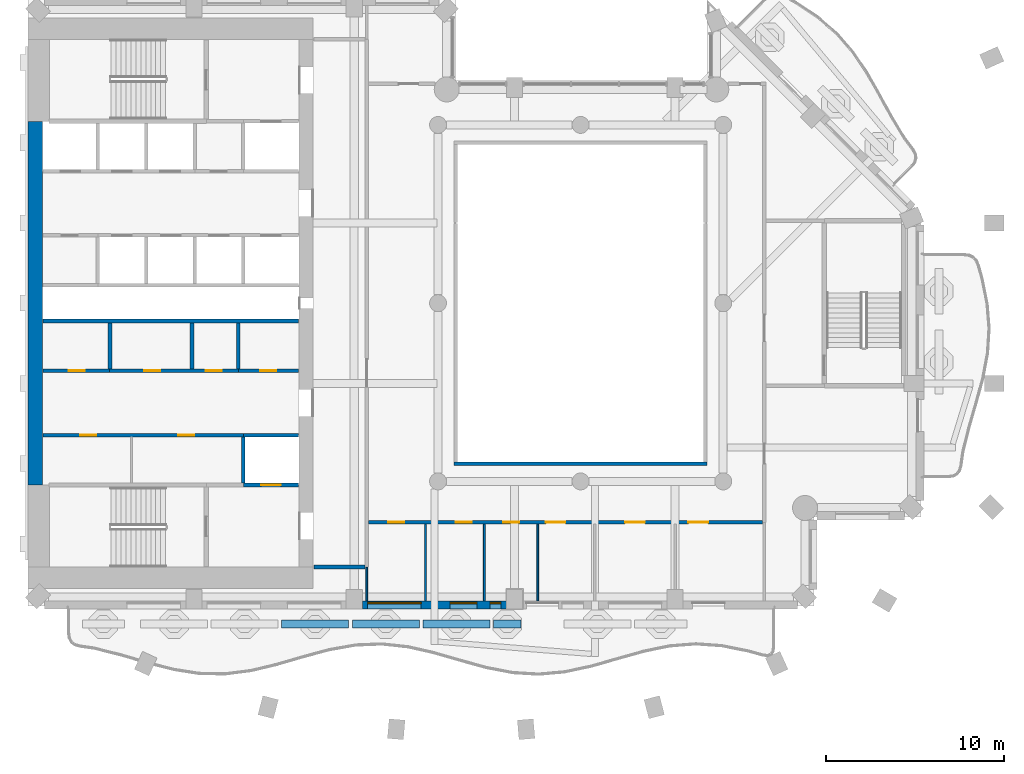
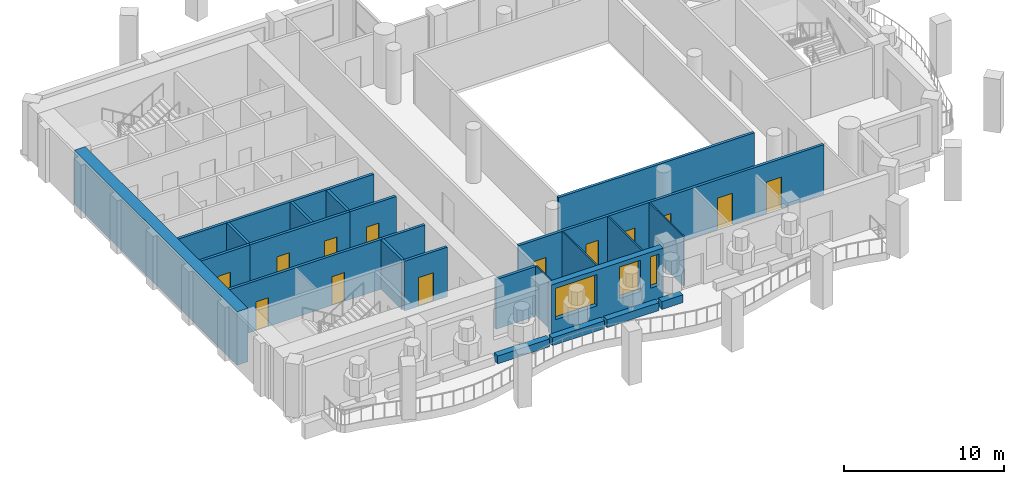
# One storey, part 4 of 15: 24 walls, 13 doors, 3 windows, 16 openings.
"""IFC4 building model written with IfcOpenShell, lengths in metres."""

from ifc_helpers import new_model, si_unit, direction, frame, frame_2d, origin, place, context, subcontext, project, spatial, rectangle, extrude, material, layer, layer_set, type_object, element, fill, save


model = new_model("IFC4")

# Units and contexts
model_context = context("Model", 3, precision=1e-05, world=origin(), true_north=direction((0.0, 1.0)))
body_context = subcontext(model_context, "Body", "Model", "MODEL_VIEW")
ifc_project = project(units=[si_unit("LENGTHUNIT", "METRE"), si_unit("AREAUNIT", "SQUARE_METRE"), si_unit("VOLUMEUNIT", "CUBIC_METRE"), si_unit("PLANEANGLEUNIT", "RADIAN"), si_unit("MASSUNIT", "GRAM", prefix="KILO")], contexts=[model_context])

# Site, building, storey
site_placement = place(None, origin())
site = spatial("IfcSite", under=ifc_project, at=site_placement, CompositionType="ELEMENT")
building_placement = place(site_placement, origin())
building = spatial("IfcBuilding", under=site, at=building_placement, Name="Cypress Arch Tower", CompositionType="ELEMENT")
storey_placement = place(building_placement, frame((0.0, 0.0, 234.300048828125)))
storey = spatial("IfcBuildingStorey", under=building, at=storey_placement, Name="L52", CompositionType="ELEMENT", Elevation=234.300048828125)

# Walls
ifc_material_1 = material(Name="Concrete C40/50, waterproofed", Category="concrete")
ifc_layer_1 = layer(ifc_material_1, 0.449951171875)
ifc_layer_set_1 = layer_set([ifc_layer_1], Name="Balcony planter wall PW450")
wall_type_1 = type_object("IfcWallType", Name="Balcony planter wall PW450", PredefinedType="SOLIDWALL", material=ifc_layer_set_1)
for number, where, z_axis, x_axis, name in (
    (1, (-15.77001953125, -18.0, 0.0), (0.0, 0.0, 1.0), (1.0, 0.0, 0.0), "Balcony planter wall L52-B01.4"),
    (2, (-11.81005859375, -18.0, 0.0), (0.0, 0.0, 1.0), (1.0, 0.0, 0.0), "Balcony planter wall L52-B01.5"),
    (3, (-7.85009765625, -18.0, 0.0), (0.0, 0.0, 1.0), (1.0, 0.0, 0.0), "Balcony planter wall L52-B01.6"),
):
    element("IfcWall", number, at=place(storey_placement, frame(where, z_axis=z_axis, x_axis=x_axis)), inside=storey, type_object=wall_type_1, Name=name, PredefinedType="SOLIDWALL", context=body_context, shape_type="SweptSolid", body=[
        extrude(rectangle(XDim=3.760009765625, YDim=0.449951171875, at=frame_2d((1.8798828125, 0.0))), origin(), (0.0, 0.0, 1.0), 0.599853515625),
    ])
wall_1_placement = place(storey_placement, frame((-3.889892578125, -18.0, 0.0), z_axis=(0.0, 0.0, 1.0), x_axis=(1.0, 0.0, 0.0)))
element("IfcWall", 4, at=wall_1_placement, inside=storey, type_object=wall_type_1, Name="Balcony planter wall L52-B01.7", PredefinedType="SOLIDWALL", context=body_context, shape_type="SweptSolid", body=[
    extrude(rectangle(XDim=1.539794921875, YDim=0.449951171875, at=frame_2d((0.77001953125, 0.0))), origin(), (0.0, 0.0, 1.0), 0.599853515625),
])

# Wall, openings, windows
ifc_material_2 = material(Name="Brick (red buff blend)", Category="masonry")
ifc_layer_2 = layer(ifc_material_2, 0.449951171875)
ifc_layer_set_2 = layer_set([ifc_layer_2], Name="Brick pier and spandrel wall BW450")
wall_type_2 = type_object("IfcWallType", Name="Brick pier and spandrel wall BW450", PredefinedType="SOLIDWALL", material=ifc_layer_set_2)
wall_2_placement = place(storey_placement, frame((-11.25, -16.925048828125, 0.0), z_axis=(0.0, 0.0, 1.0), x_axis=(1.0, 0.0, 0.0)))
wall_2 = element("IfcWall", 5, at=wall_2_placement, inside=storey, type_object=wall_type_2, Name="Brick wall L52 B01.2", PredefinedType="SOLIDWALL", context=body_context, shape_type="SweptSolid", body=[
    extrude(rectangle(XDim=8.10009765625, YDim=0.449951171875, at=frame_2d((4.050048828125, 0.0))), origin(), (0.0, 0.0, 1.0), 3.800048828125),
])
opening_1_placement = place(wall_2_placement, frame((0.300048828125, 0.0, 1.050048828125)))
opening_1 = element("IfcOpeningElement", 6, at=opening_1_placement, cuts=wall_2, Name="Opening W300OD", PredefinedType="OPENING", context=body_context, shape_type="SweptSolid", body=[
    extrude(rectangle(XDim=3.0, YDim=2.39990234375, at=frame_2d((1.5, 1.199951171875))), frame((0.0, 0.23486328125, 0.0), z_axis=(0.0, -1.0, 0.0), x_axis=(1.0, 0.0, 0.0)), (0.0, 0.0, 1.0), 0.469970703125),
])
opening_2_placement = place(wall_2_placement, frame((4.925048828125, 0.0, 1.050048828125)))
opening_2 = element("IfcOpeningElement", 7, at=opening_2_placement, cuts=wall_2, Name="Opening W150OD", PredefinedType="OPENING", context=body_context, shape_type="SweptSolid", body=[
    extrude(rectangle(XDim=1.5, YDim=2.39990234375, at=frame_2d((0.75, 1.199951171875))), frame((0.0, 0.23486328125, 0.0), z_axis=(0.0, -1.0, 0.0), x_axis=(1.0, 0.0, 0.0)), (0.0, 0.0, 1.0), 0.469970703125),
])
opening_3_placement = place(wall_2_placement, frame((7.175048828125, 0.0, 1.050048828125)))
opening_3 = element("IfcOpeningElement", 8, at=opening_3_placement, cuts=wall_2, Name="Opening W060OD", PredefinedType="OPENING", context=body_context, shape_type="SweptSolid", body=[
    extrude(rectangle(XDim=0.60009765625, YDim=2.39990234375, at=frame_2d((0.300048828125, 1.199951171875))), frame((0.0, 0.23486328125, 0.0), z_axis=(0.0, -1.0, 0.0), x_axis=(1.0, 0.0, 0.0)), (0.0, 0.0, 1.0), 0.469970703125),
])
ifc_material_3 = material(Name="Anodised aluminium, bronze finish, laminated low-emissivity double glazing, large-missile impact rated", Category="aluminium")
window_type_1 = type_object("IfcWindowType", Name="Window Office 1500x2400 debris-rated", PartitioningType="SINGLE_PANEL", PredefinedType="WINDOW", material=ifc_material_3)
window_1_placement = place(opening_2_placement, origin())
window_1 = element("IfcWindow", 9, at=window_1_placement, inside=storey, type_object=window_type_1, Name="Window L52 B01.2.2", OverallHeight=2.39990234375, OverallWidth=1.5, PartitioningType="SINGLE_PANEL", PredefinedType="WINDOW", context=body_context, shape_type="SweptSolid", body=[
    extrude(rectangle(XDim=1.5, YDim=2.39990234375, at=frame_2d((0.75, 1.199951171875))), frame((0.0, 0.135009765625, 0.0), z_axis=(0.0, -1.0, 0.0), x_axis=(1.0, 0.0, 0.0)), (0.0, 0.0, 1.0), 0.06005859375),
])
fill(opening_2, window_1)
ifc_material_4 = material(Name="Anodised aluminium, bronze finish, laminated low-emissivity double glazing, large-missile impact rated", Category="aluminium")
window_type_2 = type_object("IfcWindowType", Name="Window Office 3000x2400 debris-rated", PartitioningType="SINGLE_PANEL", PredefinedType="WINDOW", material=ifc_material_4)
window_2_placement = place(opening_1_placement, origin())
window_2 = element("IfcWindow", 10, at=window_2_placement, inside=storey, type_object=window_type_2, Name="Window L52 B01.2.1", OverallHeight=2.39990234375, OverallWidth=3.0, PartitioningType="SINGLE_PANEL", PredefinedType="WINDOW", context=body_context, shape_type="SweptSolid", body=[
    extrude(rectangle(XDim=3.0, YDim=2.39990234375, at=frame_2d((1.5, 1.199951171875))), frame((0.0, 0.135009765625, 0.0), z_axis=(0.0, -1.0, 0.0), x_axis=(1.0, 0.0, 0.0)), (0.0, 0.0, 1.0), 0.06005859375),
])
fill(opening_1, window_2)
ifc_material_5 = material(Name="Anodised aluminium, bronze finish, laminated low-emissivity double glazing, large-missile impact rated", Category="aluminium")
window_type_3 = type_object("IfcWindowType", Name="Window Office 600x2400 debris-rated", PartitioningType="SINGLE_PANEL", PredefinedType="WINDOW", material=ifc_material_5)
window_3_placement = place(opening_3_placement, origin())
window_3 = element("IfcWindow", 11, at=window_3_placement, inside=storey, type_object=window_type_3, Name="Window L52 B01.2.2b", OverallHeight=2.39990234375, OverallWidth=0.60009765625, PartitioningType="SINGLE_PANEL", PredefinedType="WINDOW", context=body_context, shape_type="SweptSolid", body=[
    extrude(rectangle(XDim=0.60009765625, YDim=2.39990234375, at=frame_2d((0.300048828125, 1.199951171875))), frame((0.0, 0.135009765625, 0.0), z_axis=(0.0, -1.0, 0.0), x_axis=(1.0, 0.0, 0.0)), (0.0, 0.0, 1.0), 0.06005859375),
])
fill(opening_3, window_3)

# Wall
ifc_material_6 = material(Name="Concrete C70/85", Category="concrete")
ifc_layer_3 = layer(ifc_material_6, 0.800048828125)
ifc_layer_set_3 = layer_set([ifc_layer_3], Name="Core wall CW800 C70/85")
wall_type_3 = type_object("IfcWallType", Name="Core wall CW800 C70/85", PredefinedType="SHEAR", material=ifc_layer_set_3)
wall_3_placement = place(storey_placement, frame((-29.60009765625, -10.199951171875, 0.0), z_axis=(0.0, 0.0, 1.0), x_axis=(0.0, 1.0, 0.0)))
element("IfcWall", 12, at=wall_3_placement, inside=storey, type_object=wall_type_3, Name="Core wall", PredefinedType="SHEAR", context=body_context, shape_type="SweptSolid", body=[
    extrude(rectangle(XDim=20.39990234375, YDim=0.800048828125, at=frame_2d((10.199951171875, 0.0))), origin(), (0.0, 0.0, 1.0), 4.099853515625),
])

# Wall, openings, doors
ifc_material_7 = material(Name="Concrete blockwork, plastered, rated", Category="masonry")
ifc_layer_4 = layer(ifc_material_7, 0.199951171875)
ifc_layer_set_4 = layer_set([ifc_layer_4], Name="Corridor wall FW200")
wall_type_4 = type_object("IfcWallType", Name="Corridor wall FW200", PredefinedType="PARTITIONING", material=ifc_layer_set_4)
wall_4_placement = place(storey_placement, frame((-29.169921875, -7.39990234375, 0.0), z_axis=(0.0, 0.0, 1.0), x_axis=(1.0, 0.0, 0.0)))
wall_4 = element("IfcWall", 13, at=wall_4_placement, inside=storey, type_object=wall_type_4, Name="Corridor wall", PredefinedType="PARTITIONING", context=body_context, shape_type="SweptSolid", body=[
    extrude(rectangle(XDim=11.27001953125, YDim=0.199951171875, at=frame_2d((5.635009765625, 0.0))), origin(), (0.0, 0.0, 1.0), 3.800048828125),
])
opening_4_placement = place(wall_4_placement, frame((2.10009765625, 0.0, 0.0)))
opening_4 = element("IfcOpeningElement", 14, at=opening_4_placement, cuts=wall_4, Name="Opening D05", PredefinedType="OPENING", context=body_context, shape_type="SweptSolid", body=[
    extrude(rectangle(XDim=0.89990234375, YDim=2.199951171875, at=frame_2d((0.449951171875, 1.10009765625))), frame((0.0, 0.10986328125, 0.0), z_axis=(0.0, -1.0, 0.0), x_axis=(1.0, 0.0, 0.0)), (0.0, 0.0, 1.0), 0.219970703125),
])
opening_5_placement = place(wall_4_placement, frame((7.60009765625, 0.0, 0.0)))
opening_5 = element("IfcOpeningElement", 15, at=opening_5_placement, cuts=wall_4, Name="Opening D05", PredefinedType="OPENING", context=body_context, shape_type="SweptSolid", body=[
    extrude(rectangle(XDim=0.89990234375, YDim=2.199951171875, at=frame_2d((0.449951171875, 1.10009765625))), frame((0.0, 0.10986328125, 0.0), z_axis=(0.0, -1.0, 0.0), x_axis=(1.0, 0.0, 0.0)), (0.0, 0.0, 1.0), 0.219970703125),
])
ifc_material_8 = material(Name="Timber flush door", Category="wood")
door_type_1 = type_object("IfcDoorType", Name="Service door D05 900x2200", OperationType="SINGLE_SWING_LEFT", PredefinedType="DOOR", material=ifc_material_8)
door_1_placement = place(opening_4_placement, origin())
door_1 = element("IfcDoor", 16, at=door_1_placement, inside=storey, type_object=door_type_1, Name="Service door", OperationType="SINGLE_SWING_LEFT", OverallHeight=2.199951171875, OverallWidth=0.89990234375, PredefinedType="DOOR", context=body_context, shape_type="SweptSolid", body=[
    extrude(rectangle(XDim=0.89990234375, YDim=2.199951171875, at=frame_2d((0.449951171875, 1.10009765625))), frame((0.0, 0.02490234375, 0.0), z_axis=(0.0, -1.0, 0.0), x_axis=(1.0, 0.0, 0.0)), (0.0, 0.0, 1.0), 0.050048828125),
])
fill(opening_4, door_1)
door_2_placement = place(opening_5_placement, origin())
door_2 = element("IfcDoor", 17, at=door_2_placement, inside=storey, type_object=door_type_1, Name="Service door", OperationType="SINGLE_SWING_RIGHT", OverallHeight=2.199951171875, OverallWidth=0.89990234375, PredefinedType="DOOR", context=body_context, shape_type="SweptSolid", body=[
    extrude(rectangle(XDim=0.89990234375, YDim=2.199951171875, at=frame_2d((0.449951171875, 1.10009765625))), frame((0.0, 0.02490234375, 0.0), z_axis=(0.0, -1.0, 0.0), x_axis=(1.0, 0.0, 0.0)), (0.0, 0.0, 1.0), 0.050048828125),
])
fill(opening_5, door_2)

# Wall, opening, door
wall_5_placement = place(storey_placement, frame((-29.169921875, -3.800048828125, 0.0), z_axis=(0.0, 0.0, 1.0), x_axis=(1.0, 0.0, 0.0)))
wall_5 = element("IfcWall", 18, at=wall_5_placement, inside=storey, type_object=wall_type_4, Name="Corridor wall", PredefinedType="PARTITIONING", context=body_context, shape_type="SweptSolid", body=[
    extrude(rectangle(XDim=3.75, YDim=0.199951171875, at=frame_2d((1.875, 0.0))), origin(), (0.0, 0.0, 1.0), 3.800048828125),
])
opening_6_placement = place(wall_5_placement, frame((1.449951171875, 0.0, 0.0)))
opening_6 = element("IfcOpeningElement", 19, at=opening_6_placement, cuts=wall_5, Name="Opening D05", PredefinedType="OPENING", context=body_context, shape_type="SweptSolid", body=[
    extrude(rectangle(XDim=0.89990234375, YDim=2.199951171875, at=frame_2d((0.449951171875, 1.10009765625))), frame((0.0, 0.10986328125, 0.0), z_axis=(0.0, -1.0, 0.0), x_axis=(1.0, 0.0, 0.0)), (0.0, 0.0, 1.0), 0.219970703125),
])
door_3_placement = place(opening_6_placement, origin())
door_3 = element("IfcDoor", 20, at=door_3_placement, inside=storey, type_object=door_type_1, Name="Service door", OperationType="SINGLE_SWING_RIGHT", OverallHeight=2.199951171875, OverallWidth=0.89990234375, PredefinedType="DOOR", context=body_context, shape_type="SweptSolid", body=[
    extrude(rectangle(XDim=0.89990234375, YDim=2.199951171875, at=frame_2d((0.449951171875, 1.10009765625))), frame((0.0, 0.02490234375, 0.0), z_axis=(0.0, -1.0, 0.0), x_axis=(1.0, 0.0, 0.0)), (0.0, 0.0, 1.0), 0.050048828125),
])
fill(opening_6, door_3)

wall_6_placement = place(storey_placement, frame((-18.179931640625, -3.800048828125, 0.0), z_axis=(0.0, 0.0, 1.0), x_axis=(1.0, 0.0, 0.0)))
wall_6 = element("IfcWall", 21, at=wall_6_placement, inside=storey, type_object=wall_type_4, Name="Corridor wall", PredefinedType="PARTITIONING", context=body_context, shape_type="SweptSolid", body=[
    extrude(rectangle(XDim=3.349853515625, YDim=0.199951171875, at=frame_2d((1.6748046875, 0.0))), origin(), (0.0, 0.0, 1.0), 3.800048828125),
])
opening_7_placement = place(wall_6_placement, frame((1.199951171875, 0.0, 0.0)))
opening_7 = element("IfcOpeningElement", 22, at=opening_7_placement, cuts=wall_6, Name="Opening D05", PredefinedType="OPENING", context=body_context, shape_type="SweptSolid", body=[
    extrude(rectangle(XDim=0.89990234375, YDim=2.199951171875, at=frame_2d((0.449951171875, 1.10009765625))), frame((0.0, 0.10986328125, 0.0), z_axis=(0.0, -1.0, 0.0), x_axis=(1.0, 0.0, 0.0)), (0.0, 0.0, 1.0), 0.219970703125),
])
door_4_placement = place(opening_7_placement, origin())
door_4 = element("IfcDoor", 23, at=door_4_placement, inside=storey, type_object=door_type_1, Name="Service door", OperationType="SINGLE_SWING_LEFT", OverallHeight=2.199951171875, OverallWidth=0.89990234375, PredefinedType="DOOR", context=body_context, shape_type="SweptSolid", body=[
    extrude(rectangle(XDim=0.89990234375, YDim=2.199951171875, at=frame_2d((0.449951171875, 1.10009765625))), frame((0.0, 0.02490234375, 0.0), z_axis=(0.0, -1.0, 0.0), x_axis=(1.0, 0.0, 0.0)), (0.0, 0.0, 1.0), 0.050048828125),
])
fill(opening_7, door_4)

# Wall
wall_7_placement = place(storey_placement, frame((-13.969970703125, -14.800048828125, 0.0), z_axis=(0.0, 0.0, 1.0), x_axis=(1.0, 0.0, 0.0)))
element("IfcWall", 24, at=wall_7_placement, inside=storey, type_object=wall_type_4, Name="Corridor wall", PredefinedType="PARTITIONING", context=body_context, shape_type="SweptSolid", body=[
    extrude(rectangle(XDim=2.869873046875, YDim=0.199951171875, at=frame_2d((1.43505859375, 0.0))), origin(), (0.0, 0.0, 1.0), 3.800048828125),
])

# Wall, openings, doors
wall_8_placement = place(storey_placement, frame((-10.89990234375, -12.300048828125, 0.0), z_axis=(0.0, 0.0, 1.0), x_axis=(1.0, 0.0, 0.0)))
wall_8 = element("IfcWall", 25, at=wall_8_placement, inside=storey, type_object=wall_type_4, Name="Corridor wall", PredefinedType="PARTITIONING", context=body_context, shape_type="SweptSolid", body=[
    extrude(rectangle(XDim=22.099853515625, YDim=0.199951171875, at=frame_2d((11.0498046875, 0.0))), origin(), (0.0, 0.0, 1.0), 3.800048828125),
])
opening_8_placement = place(wall_8_placement, frame((1.10009765625, 0.0, 0.0)))
opening_8 = element("IfcOpeningElement", 26, at=opening_8_placement, cuts=wall_8, Name="Opening D03", PredefinedType="OPENING", context=body_context, shape_type="SweptSolid", body=[
    extrude(rectangle(XDim=0.89990234375, YDim=2.199951171875, at=frame_2d((0.449951171875, 1.10009765625))), frame((0.0, 0.10986328125, 0.0), z_axis=(0.0, -1.0, 0.0), x_axis=(1.0, 0.0, 0.0)), (0.0, 0.0, 1.0), 0.219970703125),
])
opening_9_placement = place(wall_8_placement, frame((4.89990234375, 0.0, 0.0)))
opening_9 = element("IfcOpeningElement", 27, at=opening_9_placement, cuts=wall_8, Name="Opening D03", PredefinedType="OPENING", context=body_context, shape_type="SweptSolid", body=[
    extrude(rectangle(XDim=0.89990234375, YDim=2.199951171875, at=frame_2d((0.449951171875, 1.10009765625))), frame((0.0, 0.10986328125, 0.0), z_axis=(0.0, -1.0, 0.0), x_axis=(1.0, 0.0, 0.0)), (0.0, 0.0, 1.0), 0.219970703125),
])
opening_10_placement = place(wall_8_placement, frame((7.550048828125, 0.0, 0.0)))
opening_10 = element("IfcOpeningElement", 28, at=opening_10_placement, cuts=wall_8, Name="Opening D03", PredefinedType="OPENING", context=body_context, shape_type="SweptSolid", body=[
    extrude(rectangle(XDim=0.89990234375, YDim=2.199951171875, at=frame_2d((0.449951171875, 1.10009765625))), frame((0.0, 0.10986328125, 0.0), z_axis=(0.0, -1.0, 0.0), x_axis=(1.0, 0.0, 0.0)), (0.0, 0.0, 1.0), 0.219970703125),
])
opening_11_placement = place(wall_8_placement, frame((9.949951171875, 0.0, 0.0)))
opening_11 = element("IfcOpeningElement", 29, at=opening_11_placement, cuts=wall_8, Name="Opening D01", PredefinedType="OPENING", context=body_context, shape_type="SweptSolid", body=[
    extrude(rectangle(XDim=1.10009765625, YDim=2.39990234375, at=frame_2d((0.550048828125, 1.199951171875))), frame((0.0, 0.10986328125, 0.0), z_axis=(0.0, -1.0, 0.0), x_axis=(1.0, 0.0, 0.0)), (0.0, 0.0, 1.0), 0.219970703125),
])
opening_12_placement = place(wall_8_placement, frame((14.39990234375, 0.0, 0.0)))
opening_12 = element("IfcOpeningElement", 30, at=opening_12_placement, cuts=wall_8, Name="Opening D01", PredefinedType="OPENING", context=body_context, shape_type="SweptSolid", body=[
    extrude(rectangle(XDim=1.10009765625, YDim=2.39990234375, at=frame_2d((0.550048828125, 1.199951171875))), frame((0.0, 0.10986328125, 0.0), z_axis=(0.0, -1.0, 0.0), x_axis=(1.0, 0.0, 0.0)), (0.0, 0.0, 1.0), 0.219970703125),
])
opening_13_placement = place(wall_8_placement, frame((17.949951171875, 0.0, 0.0)))
opening_13 = element("IfcOpeningElement", 31, at=opening_13_placement, cuts=wall_8, Name="Opening D01", PredefinedType="OPENING", context=body_context, shape_type="SweptSolid", body=[
    extrude(rectangle(XDim=1.10009765625, YDim=2.39990234375, at=frame_2d((0.550048828125, 1.199951171875))), frame((0.0, 0.10986328125, 0.0), z_axis=(0.0, -1.0, 0.0), x_axis=(1.0, 0.0, 0.0)), (0.0, 0.0, 1.0), 0.219970703125),
])
ifc_material_9 = material(Name="Timber flush door, moisture resistant", Category="wood")
door_type_2 = type_object("IfcDoorType", Name="Bathroom door D03 900x2200", OperationType="SINGLE_SWING_LEFT", PredefinedType="DOOR", material=ifc_material_9)
door_5_placement = place(opening_8_placement, origin())
door_5 = element("IfcDoor", 32, at=door_5_placement, inside=storey, type_object=door_type_2, Name="Bathroom door", OperationType="SINGLE_SWING_RIGHT", OverallHeight=2.199951171875, OverallWidth=0.89990234375, PredefinedType="DOOR", context=body_context, shape_type="SweptSolid", body=[
    extrude(rectangle(XDim=0.89990234375, YDim=2.199951171875, at=frame_2d((0.449951171875, 1.10009765625))), frame((0.0, 0.02490234375, 0.0), z_axis=(0.0, -1.0, 0.0), x_axis=(1.0, 0.0, 0.0)), (0.0, 0.0, 1.0), 0.050048828125),
])
fill(opening_8, door_5)
door_6_placement = place(opening_9_placement, origin())
door_6 = element("IfcDoor", 33, at=door_6_placement, inside=storey, type_object=door_type_2, Name="Bathroom door", OperationType="SINGLE_SWING_LEFT", OverallHeight=2.199951171875, OverallWidth=0.89990234375, PredefinedType="DOOR", context=body_context, shape_type="SweptSolid", body=[
    extrude(rectangle(XDim=0.89990234375, YDim=2.199951171875, at=frame_2d((0.449951171875, 1.10009765625))), frame((0.0, 0.02490234375, 0.0), z_axis=(0.0, -1.0, 0.0), x_axis=(1.0, 0.0, 0.0)), (0.0, 0.0, 1.0), 0.050048828125),
])
fill(opening_9, door_6)
door_7_placement = place(opening_10_placement, origin())
door_7 = element("IfcDoor", 34, at=door_7_placement, inside=storey, type_object=door_type_2, Name="Bathroom door", OperationType="SINGLE_SWING_RIGHT", OverallHeight=2.199951171875, OverallWidth=0.89990234375, PredefinedType="DOOR", context=body_context, shape_type="SweptSolid", body=[
    extrude(rectangle(XDim=0.89990234375, YDim=2.199951171875, at=frame_2d((0.449951171875, 1.10009765625))), frame((0.0, 0.02490234375, 0.0), z_axis=(0.0, -1.0, 0.0), x_axis=(1.0, 0.0, 0.0)), (0.0, 0.0, 1.0), 0.050048828125),
])
fill(opening_10, door_7)
ifc_material_10 = material(Name="Timber flush door, fire resisting, self-closing", Category="wood")
door_type_3 = type_object("IfcDoorType", Name="Unit entrance door D01 1100x2400", OperationType="SINGLE_SWING_LEFT", PredefinedType="DOOR", material=ifc_material_10)
door_8_placement = place(opening_11_placement, origin())
door_8 = element("IfcDoor", 35, at=door_8_placement, inside=storey, type_object=door_type_3, Name="Unit entrance door", OperationType="SINGLE_SWING_RIGHT", OverallHeight=2.39990234375, OverallWidth=1.10009765625, PredefinedType="DOOR", context=body_context, shape_type="SweptSolid", body=[
    extrude(rectangle(XDim=1.10009765625, YDim=2.39990234375, at=frame_2d((0.550048828125, 1.199951171875))), frame((0.0, 0.02490234375, 0.0), z_axis=(0.0, -1.0, 0.0), x_axis=(1.0, 0.0, 0.0)), (0.0, 0.0, 1.0), 0.050048828125),
])
fill(opening_11, door_8)
door_9_placement = place(opening_12_placement, origin())
door_9 = element("IfcDoor", 36, at=door_9_placement, inside=storey, type_object=door_type_3, Name="Unit entrance door", OperationType="SINGLE_SWING_LEFT", OverallHeight=2.39990234375, OverallWidth=1.10009765625, PredefinedType="DOOR", context=body_context, shape_type="SweptSolid", body=[
    extrude(rectangle(XDim=1.10009765625, YDim=2.39990234375, at=frame_2d((0.550048828125, 1.199951171875))), frame((0.0, 0.02490234375, 0.0), z_axis=(0.0, -1.0, 0.0), x_axis=(1.0, 0.0, 0.0)), (0.0, 0.0, 1.0), 0.050048828125),
])
fill(opening_12, door_9)
door_10_placement = place(opening_13_placement, origin())
door_10 = element("IfcDoor", 37, at=door_10_placement, inside=storey, type_object=door_type_3, Name="Unit entrance door", OperationType="SINGLE_SWING_RIGHT", OverallHeight=2.39990234375, OverallWidth=1.10009765625, PredefinedType="DOOR", context=body_context, shape_type="SweptSolid", body=[
    extrude(rectangle(XDim=1.10009765625, YDim=2.39990234375, at=frame_2d((0.550048828125, 1.199951171875))), frame((0.0, 0.02490234375, 0.0), z_axis=(0.0, -1.0, 0.0), x_axis=(1.0, 0.0, 0.0)), (0.0, 0.0, 1.0), 0.050048828125),
])
fill(opening_13, door_10)

# Walls
wall_9_placement = place(storey_placement, frame((-6.10009765625, -9.0, 0.0), z_axis=(0.0, 0.0, 1.0), x_axis=(1.0, 0.0, 0.0)))
element("IfcWall", 38, at=wall_9_placement, inside=storey, type_object=wall_type_4, Name="Corridor wall", PredefinedType="PARTITIONING", context=body_context, shape_type="SweptSolid", body=[
    extrude(rectangle(XDim=14.2001953125, YDim=0.199951171875, at=frame_2d((7.10009765625, 0.0))), origin(), (0.0, 0.0, 1.0), 3.800048828125),
])
ifc_material_11 = material(Name="Reinforced blockwork, plastered, rated", Category="masonry")
ifc_layer_5 = layer(ifc_material_11, 0.199951171875)
ifc_layer_set_5 = layer_set([ifc_layer_5], Name="Plant and riser wall PL200")
wall_type_5 = type_object("IfcWallType", Name="Plant and riser wall PL200", PredefinedType="PARTITIONING", material=ifc_layer_set_5)
wall_10_placement = place(storey_placement, frame((-29.169921875, -1.0, 0.0), z_axis=(0.0, 0.0, 1.0), x_axis=(1.0, 0.0, 0.0)))
element("IfcWall", 39, at=wall_10_placement, inside=storey, type_object=wall_type_5, Name="Plant and riser wall", PredefinedType="PARTITIONING", context=body_context, shape_type="SweptSolid", body=[
    extrude(rectangle(XDim=14.33984375, YDim=0.199951171875, at=frame_2d((7.169921875, 0.0))), origin(), (0.0, 0.0, 1.0), 3.800048828125),
])

# Wall, openings, doors
wall_11_placement = place(storey_placement, frame((-25.419921875, -3.800048828125, 0.0), z_axis=(0.0, 0.0, 1.0), x_axis=(1.0, 0.0, 0.0)))
wall_11 = element("IfcWall", 40, at=wall_11_placement, inside=storey, type_object=wall_type_5, Name="Plant and riser wall", PredefinedType="PARTITIONING", context=body_context, shape_type="SweptSolid", body=[
    extrude(rectangle(XDim=7.239990234375, YDim=0.199951171875, at=frame_2d((3.6201171875, 0.0))), origin(), (0.0, 0.0, 1.0), 3.800048828125),
])
opening_14_placement = place(wall_11_placement, frame((1.949951171875, 0.0, 0.0)))
opening_14 = element("IfcOpeningElement", 41, at=opening_14_placement, cuts=wall_11, Name="Opening D05", PredefinedType="OPENING", context=body_context, shape_type="SweptSolid", body=[
    extrude(rectangle(XDim=0.89990234375, YDim=2.199951171875, at=frame_2d((0.449951171875, 1.10009765625))), frame((0.0, 0.10986328125, 0.0), z_axis=(0.0, -1.0, 0.0), x_axis=(1.0, 0.0, 0.0)), (0.0, 0.0, 1.0), 0.219970703125),
])
opening_15_placement = place(wall_11_placement, frame((5.39990234375, 0.0, 0.0)))
opening_15 = element("IfcOpeningElement", 42, at=opening_15_placement, cuts=wall_11, Name="Opening D05", PredefinedType="OPENING", context=body_context, shape_type="SweptSolid", body=[
    extrude(rectangle(XDim=0.89990234375, YDim=2.199951171875, at=frame_2d((0.449951171875, 1.10009765625))), frame((0.0, 0.10986328125, 0.0), z_axis=(0.0, -1.0, 0.0), x_axis=(1.0, 0.0, 0.0)), (0.0, 0.0, 1.0), 0.219970703125),
])
door_11_placement = place(opening_14_placement, origin())
door_11 = element("IfcDoor", 43, at=door_11_placement, inside=storey, type_object=door_type_1, Name="Service door", OperationType="SINGLE_SWING_RIGHT", OverallHeight=2.199951171875, OverallWidth=0.89990234375, PredefinedType="DOOR", context=body_context, shape_type="SweptSolid", body=[
    extrude(rectangle(XDim=0.89990234375, YDim=2.199951171875, at=frame_2d((0.449951171875, 1.10009765625))), frame((0.0, 0.02490234375, 0.0), z_axis=(0.0, -1.0, 0.0), x_axis=(1.0, 0.0, 0.0)), (0.0, 0.0, 1.0), 0.050048828125),
])
fill(opening_14, door_11)
door_12_placement = place(opening_15_placement, origin())
door_12 = element("IfcDoor", 44, at=door_12_placement, inside=storey, type_object=door_type_1, Name="Service door", OperationType="SINGLE_SWING_LEFT", OverallHeight=2.199951171875, OverallWidth=0.89990234375, PredefinedType="DOOR", context=body_context, shape_type="SweptSolid", body=[
    extrude(rectangle(XDim=0.89990234375, YDim=2.199951171875, at=frame_2d((0.449951171875, 1.10009765625))), frame((0.0, 0.02490234375, 0.0), z_axis=(0.0, -1.0, 0.0), x_axis=(1.0, 0.0, 0.0)), (0.0, 0.0, 1.0), 0.050048828125),
])
fill(opening_15, door_12)

# Walls
for number, where, z_axis, x_axis, name in (
    (45, (-25.39990234375, -3.699951171875, 0.0), (0.0, 0.0, 1.0), (0.0, 1.0, 0.0), "Plant and riser wall"),
    (46, (-20.800048828125, -3.699951171875, 0.0), (0.0, 0.0, 1.0), (0.0, 1.0, 0.0), "Plant and riser wall"),
    (47, (-18.199951171875, -3.699951171875, 0.0), (0.0, 0.0, 1.0), (0.0, 1.0, 0.0), "Plant and riser wall"),
):
    element("IfcWall", number, at=place(storey_placement, frame(where, z_axis=z_axis, x_axis=x_axis)), inside=storey, type_object=wall_type_5, Name=name, PredefinedType="PARTITIONING", context=body_context, shape_type="SweptSolid", body=[
        extrude(rectangle(XDim=2.599853515625, YDim=0.199951171875, at=frame_2d((1.2998046875, 0.0))), origin(), (0.0, 0.0, 1.0), 3.800048828125),
    ])
ifc_material_12 = material(Name="Concrete C50/60", Category="concrete")
ifc_layer_6 = layer(ifc_material_12, 0.199951171875)
ifc_layer_set_6 = layer_set([ifc_layer_6], Name="Shaft wall SH200")
wall_type_6 = type_object("IfcWallType", Name="Shaft wall SH200", PredefinedType="SHEAR", material=ifc_layer_set_6)
wall_12_placement = place(storey_placement, frame((-17.919921875, -10.10009765625, 0.0), z_axis=(0.0, 0.0, 1.0), x_axis=(0.0, 1.0, 0.0)))
element("IfcWall", 48, at=wall_12_placement, inside=storey, type_object=wall_type_6, Name="Shaft wall", PredefinedType="SHEAR", context=body_context, shape_type="SweptSolid", body=[
    extrude(rectangle(XDim=2.60009765625, YDim=0.199951171875, at=frame_2d((1.300048828125, 0.0))), origin(), (0.0, 0.0, 1.0), 3.800048828125),
])

# Wall, opening, door
wall_13_placement = place(storey_placement, frame((-17.919921875, -10.199951171875, 0.0), z_axis=(0.0, 0.0, 1.0), x_axis=(1.0, 0.0, 0.0)))
wall_13 = element("IfcWall", 49, at=wall_13_placement, inside=storey, type_object=wall_type_6, Name="Shaft wall", PredefinedType="SHEAR", context=body_context, shape_type="SweptSolid", body=[
    extrude(rectangle(XDim=3.08984375, YDim=0.199951171875, at=frame_2d((1.544921875, 0.0))), origin(), (0.0, 0.0, 1.0), 3.800048828125),
])
opening_16_placement = place(wall_13_placement, frame((1.0, 0.0, 0.0)))
opening_16 = element("IfcOpeningElement", 50, at=opening_16_placement, cuts=wall_13, Name="Opening LD-FL1", PredefinedType="OPENING", context=body_context, shape_type="SweptSolid", body=[
    extrude(rectangle(XDim=1.10009765625, YDim=2.199951171875, at=frame_2d((0.550048828125, 1.10009765625))), frame((0.0, 0.10986328125, 0.0), z_axis=(0.0, -1.0, 0.0), x_axis=(1.0, 0.0, 0.0)), (0.0, 0.0, 1.0), 0.219970703125),
])
ifc_material_13 = material(Name="Stainless steel centre-opening landing door, rated", Category="steel")
door_type_4 = type_object("IfcDoorType", Name="Lift landing door LD 1100x2200", OperationType="DOUBLE_DOOR_SLIDING", PredefinedType="DOOR", material=ifc_material_13)
door_13_placement = place(opening_16_placement, origin())
door_13 = element("IfcDoor", 51, at=door_13_placement, inside=storey, type_object=door_type_4, Name="Lift landing doors FL1", OperationType="DOUBLE_DOOR_SLIDING", OverallHeight=2.199951171875, OverallWidth=1.10009765625, PredefinedType="DOOR", context=body_context, shape_type="SweptSolid", body=[
    extrude(rectangle(XDim=1.10009765625, YDim=2.199951171875, at=frame_2d((0.550048828125, 1.10009765625))), frame((0.0, 0.02490234375, 0.0), z_axis=(0.0, -1.0, 0.0), x_axis=(1.0, 0.0, 0.0)), (0.0, 0.0, 1.0), 0.050048828125),
])
fill(opening_16, door_13)

# Walls
wall_14_placement = place(storey_placement, frame((-17.89990234375, -7.39990234375, 0.0), z_axis=(0.0, 0.0, 1.0), x_axis=(1.0, 0.0, 0.0)))
element("IfcWall", 52, at=wall_14_placement, inside=storey, type_object=wall_type_6, Name="Shaft wall", PredefinedType="SHEAR", context=body_context, shape_type="SweptSolid", body=[
    extrude(rectangle(XDim=3.06982421875, YDim=0.199951171875, at=frame_2d((1.534912109375, 0.0))), origin(), (0.0, 0.0, 1.0), 3.800048828125),
])
ifc_material_14 = material(Name="Moisture resistant board on steel studs, tiled", Category="steel")
ifc_layer_7 = layer(ifc_material_14, 0.10009765625)
ifc_layer_set_7 = layer_set([ifc_layer_7], Name="Wet wall PW100")
wall_type_7 = type_object("IfcWallType", Name="Wet wall PW100", PredefinedType="PARTITIONING", material=ifc_layer_set_7)
wall_15_placement = place(storey_placement, frame((-11.0, -16.699951171875, 0.0), z_axis=(0.0, 0.0, 1.0), x_axis=(0.0, 1.0, 0.0)))
element("IfcWall", 53, at=wall_15_placement, inside=storey, type_object=wall_type_7, Name="Wet wall", PredefinedType="PARTITIONING", context=body_context, shape_type="SweptSolid", body=[
    extrude(rectangle(XDim=1.8798828125, YDim=0.10009765625, at=frame_2d((0.93994140625, 0.0))), origin(), (0.0, 0.0, 1.0), 3.800048828125),
])
for number, where, z_axis, x_axis, name in (
    (54, (-7.699951171875, -16.699951171875, 0.0), (0.0, 0.0, 1.0), (0.0, 1.0, 0.0), "Wet wall"),
    (55, (-4.39990234375, -16.699951171875, 0.0), (0.0, 0.0, 1.0), (0.0, 1.0, 0.0), "Wet wall"),
    (56, (-1.39990234375, -16.699951171875, 0.0), (0.0, 0.0, 1.0), (0.0, 1.0, 0.0), "Wet wall"),
):
    element("IfcWall", number, at=place(storey_placement, frame(where, z_axis=z_axis, x_axis=x_axis)), inside=storey, type_object=wall_type_7, Name=name, PredefinedType="PARTITIONING", context=body_context, shape_type="SweptSolid", body=[
        extrude(rectangle(XDim=4.300048828125, YDim=0.10009765625, at=frame_2d((2.14990234375, 0.0))), origin(), (0.0, 0.0, 1.0), 3.800048828125),
    ])

save(model, "model.ifc")
